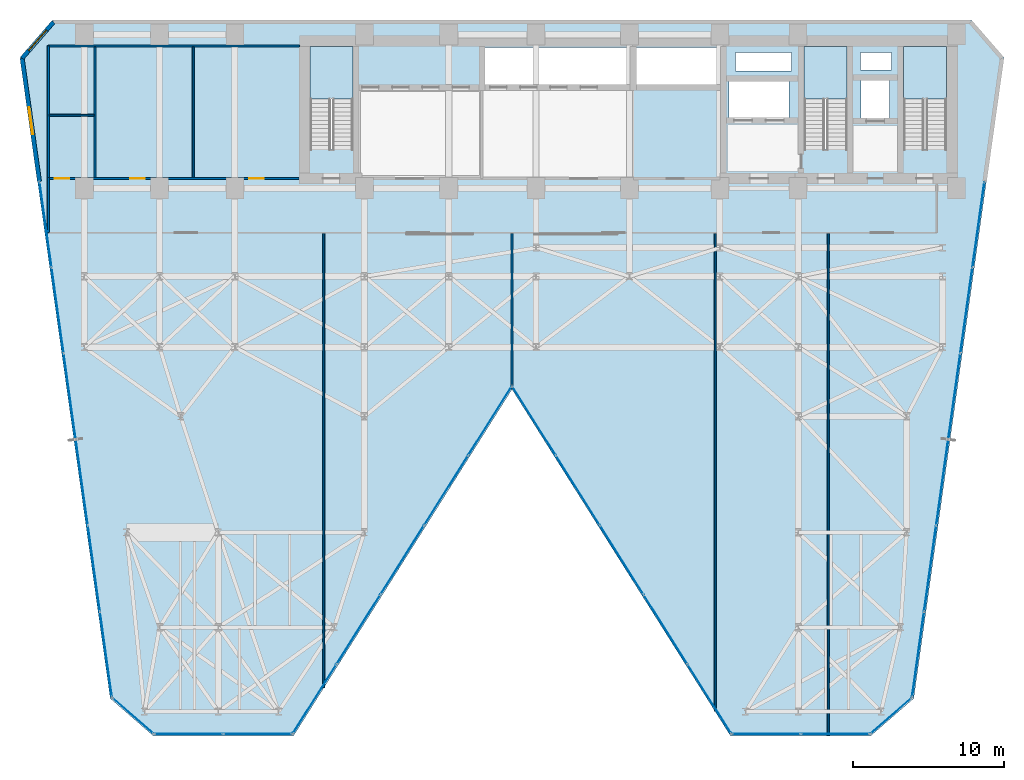
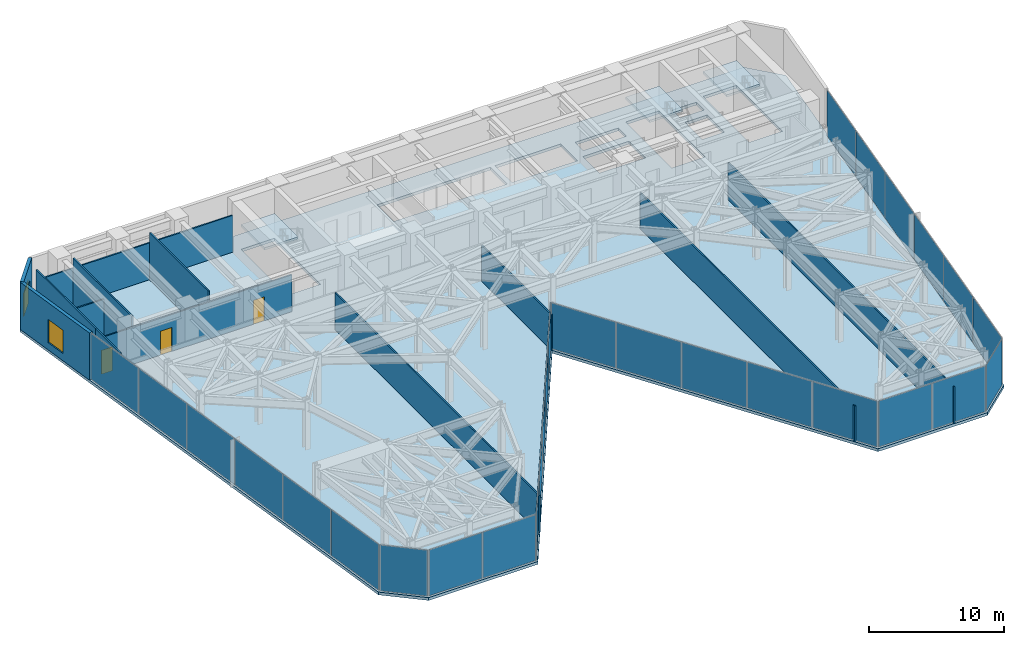
# One storey, part 23 of 28: 28 plates, 13 walls, 4 slabs, 3 doors, 2 windows, 5 openings, 11 elements without a shape of their own.
"""IFC4 building model written with IfcOpenShell, lengths in metres."""

from ifc_helpers import new_model, si_unit, direction, frame, frame_2d, origin, origin_2d, place, context, subcontext, project, spatial, polyline, rectangle, outline, extrude, material, layer, layer_set, type_object, element, fill, aggregate, save


model = new_model("IFC4")

# Units and contexts
model_context = context("Model", 3, precision=1e-05, world=origin(), true_north=direction((0.0, 1.0)))
body_context = subcontext(model_context, "Body", "Model", "MODEL_VIEW")
ifc_project = project(units=[si_unit("LENGTHUNIT", "METRE"), si_unit("AREAUNIT", "SQUARE_METRE"), si_unit("VOLUMEUNIT", "CUBIC_METRE"), si_unit("PLANEANGLEUNIT", "RADIAN"), si_unit("MASSUNIT", "GRAM", prefix="KILO")], contexts=[model_context])

# Site, building, storey
site_placement = place(None, origin())
site = spatial("IfcSite", under=ifc_project, at=site_placement, CompositionType="ELEMENT")
building_placement = place(site_placement, origin())
building = spatial("IfcBuilding", under=site, at=building_placement, Name="Kravanh Interchange Tower", CompositionType="ELEMENT")
storey_placement = place(building_placement, frame((0.0, 0.0, 91.5)))
storey = spatial("IfcBuildingStorey", under=building, at=storey_placement, Name="L21", CompositionType="ELEMENT", Elevation=91.5)

# Slab
ifc_material_1 = material(Name="Concrete C50/60", Category="concrete")
ifc_layer_1 = layer(ifc_material_1, 0.2548828125)
ifc_layer_set_1 = layer_set([ifc_layer_1], Name="Composite Floor Slab Concrete C50/60 255mm")
slab_type_1 = type_object("IfcSlabType", Name="Composite Floor Slab Concrete C50/60 255mm", PredefinedType="FLOOR", material=ifc_layer_set_1)
slab_1_placement = place(storey_placement, frame((0.0, 0.0, -0.2548828125)))
element("IfcSlab", 1, at=slab_1_placement, inside=storey, type_object=slab_type_1, Name="L21 Structural Floor Slab", PredefinedType="FLOOR", context=body_context, shape_type="SweptSolid", body=[
    extrude(outline(polyline([(10.327880859375, 3.4755859375), (13.17578125, 1.0), (22.5, 1.0), (37.0, 24.0), (51.5, 1.0), (60.82421875, 1.0), (63.672119140625, 3.4755859375), (69.652099609375, 46.0244140625), (67.5, 48.5), (6.5, 48.5), (4.347900390625, 46.0244140625), (10.327880859375, 3.4755859375)]), holes=[polyline([(65.85009765625, 39.925048828125), (65.85009765625, 46.75), (63.0, 46.75), (63.0, 39.925048828125), (65.85009765625, 39.925048828125)]), polyline([(59.25, 39.925048828125), (59.25, 46.75), (56.39990234375, 46.75), (56.39990234375, 39.925048828125), (59.25, 39.925048828125)]), polyline([(26.449951171875, 39.925048828125), (26.449951171875, 46.75), (23.60009765625, 46.75), (23.60009765625, 39.925048828125), (26.449951171875, 39.925048828125)]), polyline([(35.179931640625, 44.219970703125), (44.840087890625, 44.219970703125), (44.840087890625, 46.699951171875), (35.179931640625, 46.699951171875), (35.179931640625, 44.219970703125)]), polyline([(45.239990234375, 44.219970703125), (50.840087890625, 44.219970703125), (50.840087890625, 46.699951171875), (45.239990234375, 46.699951171875), (45.239990234375, 44.219970703125)]), polyline([(51.419921875, 42.02001953125), (55.3798828125, 42.02001953125), (55.3798828125, 44.47998046875), (51.419921875, 44.47998046875), (51.419921875, 42.02001953125)]), polyline([(60.179931640625, 41.97998046875), (62.06005859375, 41.97998046875), (62.06005859375, 44.52001953125), (60.179931640625, 44.52001953125), (60.179931640625, 41.97998046875)]), polyline([(60.14990234375, 45.199951171875), (62.199951171875, 45.199951171875), (62.199951171875, 46.35009765625), (60.14990234375, 46.35009765625), (60.14990234375, 45.199951171875)]), polyline([(51.85009765625, 45.14990234375), (55.550048828125, 45.14990234375), (55.550048828125, 46.35009765625), (51.85009765625, 46.35009765625), (51.85009765625, 45.14990234375)])]), origin(), (0.0, 0.0, 1.0), 0.2548828125),
])

# Stair, slab
ifc_material_2 = material(Name="Concrete C50/60", Category="concrete")
stair_type = type_object("IfcStairType", Name="Core Fire Exit Dogleg Stair Concrete C50/60", PredefinedType="HALF_TURN_STAIR", material=ifc_material_2)
stair_1_placement = place(storey_placement, origin())
stair_1 = element("IfcStair", 2, at=stair_1_placement, inside=storey, type_object=stair_type, Name="L21 Exit Stair ST1", PredefinedType="HALF_TURN_STAIR")
ifc_material_3 = material(Name="Concrete C50/60", Category="concrete")
ifc_layer_2 = layer(ifc_material_3, 0.199951171875)
ifc_layer_set_2 = layer_set([ifc_layer_2], Name="Concrete C50/60 Stair Half-Landing Slab 200mm")
slab_type_2 = type_object("IfcSlabType", Name="Concrete C50/60 Stair Half-Landing Slab 200mm", PredefinedType="LANDING", material=ifc_layer_set_2)
slab_2_placement = place(storey_placement, frame((0.0, 0.0, 2.050048828125)))
slab_2 = element("IfcSlab", 3, at=slab_2_placement, type_object=slab_type_2, Name="ST1 landing 1", PredefinedType="LANDING", context=body_context, shape_type="SweptSolid", body=[
    extrude(outline(polyline([(65.85009765625, 43.260009765625), (65.85009765625, 46.75), (63.0, 46.75), (63.0, 43.260009765625), (65.85009765625, 43.260009765625)])), origin(), (0.0, 0.0, 1.0), 0.199951171875),
])
aggregate(stair_1, [slab_2])

stair_2_placement = place(storey_placement, origin())
stair_2 = element("IfcStair", 4, at=stair_2_placement, inside=storey, type_object=stair_type, Name="L21 Exit Stair ST2", PredefinedType="HALF_TURN_STAIR")
slab_3_placement = place(storey_placement, frame((0.0, 0.0, 2.050048828125)))
slab_3 = element("IfcSlab", 5, at=slab_3_placement, type_object=slab_type_2, Name="ST2 landing 1", PredefinedType="LANDING", context=body_context, shape_type="SweptSolid", body=[
    extrude(outline(polyline([(59.25, 43.260009765625), (59.25, 46.75), (56.39990234375, 46.75), (56.39990234375, 43.260009765625), (59.25, 43.260009765625)])), origin(), (0.0, 0.0, 1.0), 0.199951171875),
])
aggregate(stair_2, [slab_3])

stair_3_placement = place(storey_placement, origin())
stair_3 = element("IfcStair", 6, at=stair_3_placement, inside=storey, type_object=stair_type, Name="L21 Exit Stair ST3", PredefinedType="HALF_TURN_STAIR")
slab_4_placement = place(storey_placement, frame((0.0, 0.0, 2.050048828125)))
slab_4 = element("IfcSlab", 7, at=slab_4_placement, type_object=slab_type_2, Name="ST3 landing 1", PredefinedType="LANDING", context=body_context, shape_type="SweptSolid", body=[
    extrude(outline(polyline([(26.449951171875, 43.260009765625), (26.449951171875, 46.75), (23.60009765625, 46.75), (23.60009765625, 43.260009765625), (26.449951171875, 43.260009765625)])), origin(), (0.0, 0.0, 1.0), 0.199951171875),
])
aggregate(stair_3, [slab_4])

# Curtain wall, plates
ifc_material_4 = material(Name="Anodised Bronze Aluminium", Category="aluminium")
ifc_layer_3 = layer(ifc_material_4, 0.179931640625)
ifc_layer_set_3 = layer_set([ifc_layer_3], Name="Unitised Curtain Wall System CW-SKY Sky Observatory")
curtain_wall_type = type_object("IfcCurtainWallType", Name="Unitised Curtain Wall System CW-SKY Sky Observatory", PredefinedType="NOTDEFINED", material=ifc_layer_set_3)
curtain_wall_1_placement = place(storey_placement, origin())
curtain_wall_1 = element("IfcCurtainWall", 8, at=curtain_wall_1_placement, inside=storey, type_object=curtain_wall_type, Name="L21 Unitised Curtain Wall CW-L21-01", PredefinedType="NOTDEFINED")
ifc_material_5 = material(Name="Low-E Laminated Architectural Glass", Category="glass")
ifc_layer_4 = layer(ifc_material_5, 0.035888671875)
ifc_layer_set_4 = layer_set([ifc_layer_4], Name="Extra-Clear Low-Iron Glazing 36mm")
plate_type = type_object("IfcPlateType", Name="Extra-Clear Low-Iron Glazing 36mm", PredefinedType="CURTAIN_PANEL", material=ifc_layer_set_4)
plate_1_placement = place(storey_placement, frame((10.03662109375, 6.409423828125, 0.06005859375), z_axis=(0.0, 0.0, 1.0), x_axis=(-0.139176538065, 0.990267585682, 0.0)))
plate_1 = element("IfcPlate", 9, at=plate_1_placement, type_object=plate_type, Name="CW-SKY panel 1.1", PredefinedType="CURTAIN_PANEL", context=body_context, shape_type="SweptSolid", body=[
    extrude(rectangle(XDim=5.66162109375, YDim=0.035888671875, at=origin_2d()), origin(), (0.0, 0.0, 1.0), 4.1298828125),
])
plate_2_placement = place(storey_placement, frame((9.236572265625, 12.1025390625, 0.06005859375), z_axis=(0.0, 0.0, 1.0), x_axis=(-0.139176538065, 0.990267585682, 0.0)))
plate_2 = element("IfcPlate", 10, at=plate_2_placement, type_object=plate_type, Name="CW-SKY panel 2.1", PredefinedType="CURTAIN_PANEL", context=body_context, shape_type="SweptSolid", body=[
    extrude(rectangle(XDim=5.69677734375, YDim=0.035888671875, at=origin_2d()), origin(), (0.0, 0.0, 1.0), 4.1298828125),
])
plate_3_placement = place(storey_placement, frame((8.433837890625, 17.813232421875, 0.06005859375), z_axis=(0.0, 0.0, 1.0), x_axis=(-0.139176538065, 0.990267585682, 0.0)))
plate_3 = element("IfcPlate", 11, at=plate_3_placement, type_object=plate_type, Name="CW-SKY panel 3.1", PredefinedType="CURTAIN_PANEL", context=body_context, shape_type="SweptSolid", body=[
    extrude(rectangle(XDim=5.69677734375, YDim=0.035888671875, at=origin_2d()), origin(), (0.0, 0.0, 1.0), 4.1298828125),
])
plate_4_placement = place(storey_placement, frame((7.63134765625, 23.523681640625, 0.06005859375), z_axis=(0.0, 0.0, 1.0), x_axis=(-0.139176538065, 0.990267585682, 0.0)))
plate_4 = element("IfcPlate", 12, at=plate_4_placement, type_object=plate_type, Name="CW-SKY panel 4.1", PredefinedType="CURTAIN_PANEL", context=body_context, shape_type="SweptSolid", body=[
    extrude(rectangle(XDim=5.69677734375, YDim=0.035888671875, at=origin_2d()), origin(), (0.0, 0.0, 1.0), 4.1298828125),
])
plate_5_placement = place(storey_placement, frame((6.828857421875, 29.234130859375, 0.06005859375), z_axis=(0.0, 0.0, 1.0), x_axis=(-0.139176538065, 0.990267585682, 0.0)))
plate_5 = element("IfcPlate", 13, at=plate_5_placement, type_object=plate_type, Name="CW-SKY panel 5.1", PredefinedType="CURTAIN_PANEL", context=body_context, shape_type="SweptSolid", body=[
    extrude(rectangle(XDim=5.69677734375, YDim=0.035888671875, at=origin_2d()), origin(), (0.0, 0.0, 1.0), 4.1298828125),
])
plate_6_placement = place(storey_placement, frame((6.028564453125, 34.927490234375, 0.06005859375), z_axis=(0.0, 0.0, 1.0), x_axis=(-0.139176538065, 0.990267585682, 0.0)))
plate_6 = element("IfcPlate", 14, at=plate_6_placement, type_object=plate_type, Name="CW-SKY panel 6.1", PredefinedType="CURTAIN_PANEL", context=body_context, shape_type="SweptSolid", body=[
    extrude(rectangle(XDim=5.66162109375, YDim=0.035888671875, at=origin_2d()), origin(), (0.0, 0.0, 1.0), 4.1298828125),
])
aggregate(curtain_wall_1, [plate_1, plate_2, plate_3, plate_4, plate_5, plate_6])

curtain_wall_2_placement = place(storey_placement, origin())
curtain_wall_2 = element("IfcCurtainWall", 15, at=curtain_wall_2_placement, inside=storey, type_object=curtain_wall_type, Name="L21 Unitised Curtain Wall CW-L21-02", PredefinedType="NOTDEFINED")
plate_7_placement = place(storey_placement, frame((67.971435546875, 34.927490234375, 0.06005859375), z_axis=(0.0, 0.0, 1.0), x_axis=(-0.139176538065, -0.990267585682, 0.0)))
plate_7 = element("IfcPlate", 16, at=plate_7_placement, type_object=plate_type, Name="CW-SKY panel 1.1", PredefinedType="CURTAIN_PANEL", context=body_context, shape_type="SweptSolid", body=[
    extrude(rectangle(XDim=5.66162109375, YDim=0.035888671875, at=origin_2d()), origin(), (0.0, 0.0, 1.0), 4.1298828125),
])
plate_8_placement = place(storey_placement, frame((67.171142578125, 29.234130859375, 0.06005859375), z_axis=(0.0, 0.0, 1.0), x_axis=(-0.139176538065, -0.990267585682, 0.0)))
plate_8 = element("IfcPlate", 17, at=plate_8_placement, type_object=plate_type, Name="CW-SKY panel 2.1", PredefinedType="CURTAIN_PANEL", context=body_context, shape_type="SweptSolid", body=[
    extrude(rectangle(XDim=5.69677734375, YDim=0.035888671875, at=origin_2d()), origin(), (0.0, 0.0, 1.0), 4.1298828125),
])
plate_9_placement = place(storey_placement, frame((66.36865234375, 23.523681640625, 0.06005859375), z_axis=(0.0, 0.0, 1.0), x_axis=(-0.139176538065, -0.990267585682, 0.0)))
plate_9 = element("IfcPlate", 18, at=plate_9_placement, type_object=plate_type, Name="CW-SKY panel 3.1", PredefinedType="CURTAIN_PANEL", context=body_context, shape_type="SweptSolid", body=[
    extrude(rectangle(XDim=5.69677734375, YDim=0.035888671875, at=origin_2d()), origin(), (0.0, 0.0, 1.0), 4.1298828125),
])
plate_10_placement = place(storey_placement, frame((65.566162109375, 17.813232421875, 0.06005859375), z_axis=(0.0, 0.0, 1.0), x_axis=(-0.139176538065, -0.990267585682, 0.0)))
plate_10 = element("IfcPlate", 19, at=plate_10_placement, type_object=plate_type, Name="CW-SKY panel 4.1", PredefinedType="CURTAIN_PANEL", context=body_context, shape_type="SweptSolid", body=[
    extrude(rectangle(XDim=5.69677734375, YDim=0.035888671875, at=origin_2d()), origin(), (0.0, 0.0, 1.0), 4.1298828125),
])
plate_11_placement = place(storey_placement, frame((64.763427734375, 12.1025390625, 0.06005859375), z_axis=(0.0, 0.0, 1.0), x_axis=(-0.139176538065, -0.990267585682, 0.0)))
plate_11 = element("IfcPlate", 20, at=plate_11_placement, type_object=plate_type, Name="CW-SKY panel 5.1", PredefinedType="CURTAIN_PANEL", context=body_context, shape_type="SweptSolid", body=[
    extrude(rectangle(XDim=5.69677734375, YDim=0.035888671875, at=origin_2d()), origin(), (0.0, 0.0, 1.0), 4.1298828125),
])
plate_12_placement = place(storey_placement, frame((63.96337890625, 6.409423828125, 0.06005859375), z_axis=(0.0, 0.0, 1.0), x_axis=(-0.139176538065, -0.990267585682, 0.0)))
plate_12 = element("IfcPlate", 21, at=plate_12_placement, type_object=plate_type, Name="CW-SKY panel 6.1", PredefinedType="CURTAIN_PANEL", context=body_context, shape_type="SweptSolid", body=[
    extrude(rectangle(XDim=5.66162109375, YDim=0.035888671875, at=origin_2d()), origin(), (0.0, 0.0, 1.0), 4.1298828125),
])
aggregate(curtain_wall_2, [plate_7, plate_8, plate_9, plate_10, plate_11, plate_12])

# Curtain wall, plate
curtain_wall_3_placement = place(storey_placement, origin())
curtain_wall_3 = element("IfcCurtainWall", 22, at=curtain_wall_3_placement, inside=storey, type_object=curtain_wall_type, Name="L21 Unitised Curtain Wall CW-L21-03", PredefinedType="NOTDEFINED")
plate_13_placement = place(storey_placement, frame((62.16943359375, 2.328369140625, 0.06005859375), z_axis=(0.0, 0.0, 1.0), x_axis=(-0.754708368999, -0.656060422341, 0.0)))
plate_13 = element("IfcPlate", 23, at=plate_13_placement, type_object=plate_type, Name="CW-SKY panel 1.1", PredefinedType="CURTAIN_PANEL", context=body_context, shape_type="SweptSolid", body=[
    extrude(rectangle(XDim=3.543701171875, YDim=0.035888671875, at=origin_2d()), origin(), (0.0, 0.0, 1.0), 4.1298828125),
])
aggregate(curtain_wall_3, [plate_13])

# Curtain wall, plates
curtain_wall_4_placement = place(storey_placement, origin())
curtain_wall_4 = element("IfcCurtainWall", 24, at=curtain_wall_4_placement, inside=storey, type_object=curtain_wall_type, Name="L21 Unitised Curtain Wall CW-L21-04", PredefinedType="NOTDEFINED")
plate_14_placement = place(storey_placement, frame((58.45849609375, 1.1201171875, 0.06005859375), z_axis=(0.0, 0.0, 1.0), x_axis=(-1.0, 0.0, 0.0)))
plate_14 = element("IfcPlate", 25, at=plate_14_placement, type_object=plate_type, Name="CW-SKY panel 1.1", PredefinedType="CURTAIN_PANEL", context=body_context, shape_type="SweptSolid", body=[
    extrude(rectangle(XDim=4.501708984375, YDim=0.035888671875, at=origin_2d()), origin(), (0.0, 0.0, 1.0), 4.1298828125),
])
plate_15_placement = place(storey_placement, frame((53.886962890625, 1.1201171875, 0.06005859375), z_axis=(0.0, 0.0, 1.0), x_axis=(-1.0, 0.0, 0.0)))
plate_15 = element("IfcPlate", 26, at=plate_15_placement, type_object=plate_type, Name="CW-SKY panel 2.1", PredefinedType="CURTAIN_PANEL", context=body_context, shape_type="SweptSolid", body=[
    extrude(rectangle(XDim=4.501708984375, YDim=0.035888671875, at=origin_2d()), origin(), (0.0, 0.0, 1.0), 4.1298828125),
])
aggregate(curtain_wall_4, [plate_14, plate_15])

curtain_wall_5_placement = place(storey_placement, origin())
curtain_wall_5 = element("IfcCurtainWall", 27, at=curtain_wall_5_placement, inside=storey, type_object=curtain_wall_type, Name="L21 Unitised Curtain Wall CW-L21-05", PredefinedType="NOTDEFINED")
plate_16_placement = place(storey_placement, frame((50.100341796875, 3.4453125, 0.06005859375), z_axis=(0.0, 0.0, 1.0), x_axis=(-0.53330103728, 0.845925530786, 0.0)))
plate_16 = element("IfcPlate", 28, at=plate_16_placement, type_object=plate_type, Name="CW-SKY panel 1.1", PredefinedType="CURTAIN_PANEL", context=body_context, shape_type="SweptSolid", body=[
    extrude(rectangle(XDim=5.357666015625, YDim=0.035888671875, at=origin_2d()), origin(), (0.0, 0.0, 1.0), 4.1298828125),
])
plate_17_placement = place(storey_placement, frame((47.1962890625, 8.051513671875, 0.06005859375), z_axis=(0.0, 0.0, 1.0), x_axis=(-0.53330103728, 0.845925530786, 0.0)))
plate_17 = element("IfcPlate", 29, at=plate_17_placement, type_object=plate_type, Name="CW-SKY panel 2.1", PredefinedType="CURTAIN_PANEL", context=body_context, shape_type="SweptSolid", body=[
    extrude(rectangle(XDim=5.392578125, YDim=0.035888671875, at=origin_2d()), origin(), (0.0, 0.0, 1.0), 4.1298828125),
])
plate_18_placement = place(storey_placement, frame((44.283203125, 12.672607421875, 0.06005859375), z_axis=(0.0, 0.0, 1.0), x_axis=(-0.53330103728, 0.845925530786, 0.0)))
plate_18 = element("IfcPlate", 30, at=plate_18_placement, type_object=plate_type, Name="CW-SKY panel 3.1", PredefinedType="CURTAIN_PANEL", context=body_context, shape_type="SweptSolid", body=[
    extrude(rectangle(XDim=5.392578125, YDim=0.035888671875, at=origin_2d()), origin(), (0.0, 0.0, 1.0), 4.1298828125),
])
plate_19_placement = place(storey_placement, frame((41.369873046875, 17.29345703125, 0.06005859375), z_axis=(0.0, 0.0, 1.0), x_axis=(-0.53330103728, 0.845925530786, 0.0)))
plate_19 = element("IfcPlate", 31, at=plate_19_placement, type_object=plate_type, Name="CW-SKY panel 4.1", PredefinedType="CURTAIN_PANEL", context=body_context, shape_type="SweptSolid", body=[
    extrude(rectangle(XDim=5.392578125, YDim=0.035888671875, at=origin_2d()), origin(), (0.0, 0.0, 1.0), 4.1298828125),
])
plate_20_placement = place(storey_placement, frame((38.466064453125, 21.899658203125, 0.06005859375), z_axis=(0.0, 0.0, 1.0), x_axis=(-0.53330103728, 0.845925530786, 0.0)))
plate_20 = element("IfcPlate", 32, at=plate_20_placement, type_object=plate_type, Name="CW-SKY panel 5.1", PredefinedType="CURTAIN_PANEL", context=body_context, shape_type="SweptSolid", body=[
    extrude(rectangle(XDim=5.357666015625, YDim=0.035888671875, at=origin_2d()), origin(), (0.0, 0.0, 1.0), 4.1298828125),
])
aggregate(curtain_wall_5, [plate_16, plate_17, plate_18, plate_19, plate_20])

curtain_wall_6_placement = place(storey_placement, origin())
curtain_wall_6 = element("IfcCurtainWall", 33, at=curtain_wall_6_placement, inside=storey, type_object=curtain_wall_type, Name="L21 Unitised Curtain Wall CW-L21-06", PredefinedType="NOTDEFINED")
plate_21_placement = place(storey_placement, frame((35.533935546875, 21.899658203125, 0.06005859375), z_axis=(0.0, 0.0, 1.0), x_axis=(-0.53330103728, -0.845925530786, 0.0)))
plate_21 = element("IfcPlate", 34, at=plate_21_placement, type_object=plate_type, Name="CW-SKY panel 1.1", PredefinedType="CURTAIN_PANEL", context=body_context, shape_type="SweptSolid", body=[
    extrude(rectangle(XDim=5.357666015625, YDim=0.035888671875, at=origin_2d()), origin(), (0.0, 0.0, 1.0), 4.1298828125),
])
plate_22_placement = place(storey_placement, frame((32.630126953125, 17.29345703125, 0.06005859375), z_axis=(0.0, 0.0, 1.0), x_axis=(-0.53330103728, -0.845925530786, 0.0)))
plate_22 = element("IfcPlate", 35, at=plate_22_placement, type_object=plate_type, Name="CW-SKY panel 2.1", PredefinedType="CURTAIN_PANEL", context=body_context, shape_type="SweptSolid", body=[
    extrude(rectangle(XDim=5.392578125, YDim=0.035888671875, at=origin_2d()), origin(), (0.0, 0.0, 1.0), 4.1298828125),
])
plate_23_placement = place(storey_placement, frame((29.716796875, 12.672607421875, 0.06005859375), z_axis=(0.0, 0.0, 1.0), x_axis=(-0.53330103728, -0.845925530786, 0.0)))
plate_23 = element("IfcPlate", 36, at=plate_23_placement, type_object=plate_type, Name="CW-SKY panel 3.1", PredefinedType="CURTAIN_PANEL", context=body_context, shape_type="SweptSolid", body=[
    extrude(rectangle(XDim=5.392578125, YDim=0.035888671875, at=origin_2d()), origin(), (0.0, 0.0, 1.0), 4.1298828125),
])
plate_24_placement = place(storey_placement, frame((26.8037109375, 8.051513671875, 0.06005859375), z_axis=(0.0, 0.0, 1.0), x_axis=(-0.53330103728, -0.845925530786, 0.0)))
plate_24 = element("IfcPlate", 37, at=plate_24_placement, type_object=plate_type, Name="CW-SKY panel 4.1", PredefinedType="CURTAIN_PANEL", context=body_context, shape_type="SweptSolid", body=[
    extrude(rectangle(XDim=5.392578125, YDim=0.035888671875, at=origin_2d()), origin(), (0.0, 0.0, 1.0), 4.1298828125),
])
plate_25_placement = place(storey_placement, frame((23.899658203125, 3.4453125, 0.06005859375), z_axis=(0.0, 0.0, 1.0), x_axis=(-0.53330103728, -0.845925530786, 0.0)))
plate_25 = element("IfcPlate", 38, at=plate_25_placement, type_object=plate_type, Name="CW-SKY panel 5.1", PredefinedType="CURTAIN_PANEL", context=body_context, shape_type="SweptSolid", body=[
    extrude(rectangle(XDim=5.357666015625, YDim=0.035888671875, at=origin_2d()), origin(), (0.0, 0.0, 1.0), 4.1298828125),
])
aggregate(curtain_wall_6, [plate_21, plate_22, plate_23, plate_24, plate_25])

curtain_wall_7_placement = place(storey_placement, origin())
curtain_wall_7 = element("IfcCurtainWall", 39, at=curtain_wall_7_placement, inside=storey, type_object=curtain_wall_type, Name="L21 Unitised Curtain Wall CW-L21-07", PredefinedType="NOTDEFINED")
plate_26_placement = place(storey_placement, frame((20.113037109375, 1.1201171875, 0.06005859375), z_axis=(0.0, 0.0, 1.0), x_axis=(-1.0, 0.0, 0.0)))
plate_26 = element("IfcPlate", 40, at=plate_26_placement, type_object=plate_type, Name="CW-SKY panel 1.1", PredefinedType="CURTAIN_PANEL", context=body_context, shape_type="SweptSolid", body=[
    extrude(rectangle(XDim=4.501708984375, YDim=0.035888671875, at=origin_2d()), origin(), (0.0, 0.0, 1.0), 4.1298828125),
])
plate_27_placement = place(storey_placement, frame((15.54150390625, 1.1201171875, 0.06005859375), z_axis=(0.0, 0.0, 1.0), x_axis=(-1.0, 0.0, 0.0)))
plate_27 = element("IfcPlate", 41, at=plate_27_placement, type_object=plate_type, Name="CW-SKY panel 2.1", PredefinedType="CURTAIN_PANEL", context=body_context, shape_type="SweptSolid", body=[
    extrude(rectangle(XDim=4.501708984375, YDim=0.035888671875, at=origin_2d()), origin(), (0.0, 0.0, 1.0), 4.1298828125),
])
aggregate(curtain_wall_7, [plate_26, plate_27])

# Curtain wall, plate
curtain_wall_8_placement = place(storey_placement, origin())
curtain_wall_8 = element("IfcCurtainWall", 42, at=curtain_wall_8_placement, inside=storey, type_object=curtain_wall_type, Name="L21 Unitised Curtain Wall CW-L21-08", PredefinedType="NOTDEFINED")
plate_28_placement = place(storey_placement, frame((11.83056640625, 2.328369140625, 0.06005859375), z_axis=(0.0, 0.0, 1.0), x_axis=(-0.754708368999, 0.656060422341, 0.0)))
plate_28 = element("IfcPlate", 43, at=plate_28_placement, type_object=plate_type, Name="CW-SKY panel 1.1", PredefinedType="CURTAIN_PANEL", context=body_context, shape_type="SweptSolid", body=[
    extrude(rectangle(XDim=3.543701171875, YDim=0.035888671875, at=origin_2d()), origin(), (0.0, 0.0, 1.0), 4.1298828125),
])
aggregate(curtain_wall_8, [plate_28])

# Wall, openings, doors
ifc_material_6 = material(Name="Double Acoustic Gypsum Board and Mineral Wool")
ifc_layer_5 = layer(ifc_material_6, 0.1201171875)
ifc_layer_set_5 = layer_set([ifc_layer_5], Name="Acoustic Office Drywall Partition 120mm")
wall_type_1 = type_object("IfcWallType", Name="Acoustic Office Drywall Partition 120mm", PredefinedType="PARTITIONING", material=ifc_layer_set_5)
wall_1_placement = place(storey_placement, frame((6.219970703125, 38.0, 0.0), z_axis=(0.0, 0.0, 1.0), x_axis=(1.0, 0.0, 0.0)))
wall_1 = element("IfcWall", 44, at=wall_1_placement, inside=storey, type_object=wall_type_1, Name="L21 Restroom Corridor Wall 5", PredefinedType="PARTITIONING", context=body_context, shape_type="SweptSolid", body=[
    extrude(rectangle(XDim=16.630126953125, YDim=0.1201171875, at=frame_2d((8.31494140625, 0.0))), origin(), (0.0, 0.0, 1.0), 3.322998046875),
])
opening_1_placement = place(wall_1_placement, frame((0.424072265625, 0.0, 0.0)))
opening_1 = element("IfcOpeningElement", 45, at=opening_1_placement, cuts=wall_1, Name="Opening D-95", PredefinedType="OPENING", context=body_context, shape_type="SweptSolid", body=[
    extrude(rectangle(XDim=0.949951171875, YDim=2.14990234375, at=frame_2d((0.47509765625, 1.074951171875))), frame((0.0, 0.070068359375, 0.0), z_axis=(0.0, -1.0, 0.0), x_axis=(1.0, 0.0, 0.0)), (0.0, 0.0, 1.0), 0.14013671875),
])
opening_2_placement = place(wall_1_placement, frame((5.444091796875, 0.0, 0.0)))
opening_2 = element("IfcOpeningElement", 46, at=opening_2_placement, cuts=wall_1, Name="Opening D-95", PredefinedType="OPENING", context=body_context, shape_type="SweptSolid", body=[
    extrude(rectangle(XDim=0.949951171875, YDim=2.14990234375, at=frame_2d((0.47509765625, 1.074951171875))), frame((0.0, 0.070068359375, 0.0), z_axis=(0.0, -1.0, 0.0), x_axis=(1.0, 0.0, 0.0)), (0.0, 0.0, 1.0), 0.14013671875),
])
opening_3_placement = place(wall_1_placement, frame((13.343994140625, 0.0, 0.0)))
opening_3 = element("IfcOpeningElement", 47, at=opening_3_placement, cuts=wall_1, Name="Opening D-95", PredefinedType="OPENING", context=body_context, shape_type="SweptSolid", body=[
    extrude(rectangle(XDim=0.949951171875, YDim=2.14990234375, at=frame_2d((0.47509765625, 1.074951171875))), frame((0.0, 0.070068359375, 0.0), z_axis=(0.0, -1.0, 0.0), x_axis=(1.0, 0.0, 0.0)), (0.0, 0.0, 1.0), 0.14013671875),
])
ifc_material_7 = material(Name="Laminate Solid-Core Timber", Category="wood")
door_type = type_object("IfcDoorType", Name="Accessible Restroom Door 950x2150", OperationType="NOTDEFINED", PredefinedType="DOOR", material=ifc_material_7)
door_1_placement = place(opening_1_placement, origin())
door_1 = element("IfcDoor", 48, at=door_1_placement, inside=storey, type_object=door_type, Name="L21 Accessible WC Door", OperationType="SINGLE_SWING_RIGHT", OverallHeight=2.14990234375, OverallWidth=0.949951171875, PredefinedType="DOOR", context=body_context, shape_type="SweptSolid", body=[
    extrude(rectangle(XDim=0.949951171875, YDim=2.14990234375, at=frame_2d((0.47509765625, 1.074951171875))), frame((0.0, 0.02490234375, 0.0), z_axis=(0.0, -1.0, 0.0), x_axis=(1.0, 0.0, 0.0)), (0.0, 0.0, 1.0), 0.050048828125),
])
fill(opening_1, door_1)
door_2_placement = place(opening_2_placement, origin())
door_2 = element("IfcDoor", 49, at=door_2_placement, inside=storey, type_object=door_type, Name="L21 Female WC Door", OperationType="SINGLE_SWING_LEFT", OverallHeight=2.14990234375, OverallWidth=0.949951171875, PredefinedType="DOOR", context=body_context, shape_type="SweptSolid", body=[
    extrude(rectangle(XDim=0.949951171875, YDim=2.14990234375, at=frame_2d((0.47509765625, 1.074951171875))), frame((0.0, 0.02490234375, 0.0), z_axis=(0.0, -1.0, 0.0), x_axis=(1.0, 0.0, 0.0)), (0.0, 0.0, 1.0), 0.050048828125),
])
fill(opening_2, door_2)
door_3_placement = place(opening_3_placement, origin())
door_3 = element("IfcDoor", 50, at=door_3_placement, inside=storey, type_object=door_type, Name="L21 Male WC Door", OperationType="SINGLE_SWING_RIGHT", OverallHeight=2.14990234375, OverallWidth=0.949951171875, PredefinedType="DOOR", context=body_context, shape_type="SweptSolid", body=[
    extrude(rectangle(XDim=0.949951171875, YDim=2.14990234375, at=frame_2d((0.47509765625, 1.074951171875))), frame((0.0, 0.02490234375, 0.0), z_axis=(0.0, -1.0, 0.0), x_axis=(1.0, 0.0, 0.0)), (0.0, 0.0, 1.0), 0.050048828125),
])
fill(opening_3, door_3)

# Walls
wall_2_placement = place(storey_placement, frame((6.219970703125, 38.0, 0.0), z_axis=(0.0, 0.0, 1.0), x_axis=(0.0, 1.0, 0.0)))
element("IfcWall", 51, at=wall_2_placement, inside=storey, type_object=wall_type_1, Name="L21 Restroom West Enclosure 6", PredefinedType="PARTITIONING", context=body_context, shape_type="SweptSolid", body=[
    extrude(rectangle(XDim=8.800048828125, YDim=0.1201171875, at=frame_2d((4.39990234375, 0.0))), origin(), (0.0, 0.0, 1.0), 4.25),
])
wall_3_placement = place(storey_placement, frame((6.219970703125, 46.800048828125, 0.0), z_axis=(0.0, 0.0, 1.0), x_axis=(1.0, 0.0, 0.0)))
element("IfcWall", 52, at=wall_3_placement, inside=storey, type_object=wall_type_1, Name="L21 Restroom North Enclosure 7", PredefinedType="PARTITIONING", context=body_context, shape_type="SweptSolid", body=[
    extrude(rectangle(XDim=16.679931640625, YDim=0.1201171875, at=frame_2d((8.33984375, 0.0))), origin(), (0.0, 0.0, 1.0), 3.322998046875),
])
for number, where, z_axis, x_axis, name in (
    (53, (9.320068359375, 38.068115234375, 0.0), (0.0, 0.0, 1.0), (0.0, 1.0, 0.0), "L21 Interior Partition 8"),
    (54, (15.840087890625, 38.068115234375, 0.0), (0.0, 0.0, 1.0), (0.0, 1.0, 0.0), "L21 Interior Partition 9"),
):
    element("IfcWall", number, at=place(storey_placement, frame(where, z_axis=z_axis, x_axis=x_axis)), inside=storey, type_object=wall_type_1, Name=name, PredefinedType="PARTITIONING", context=body_context, shape_type="SweptSolid", body=[
        extrude(rectangle(XDim=8.663818359375, YDim=0.1201171875, at=frame_2d((4.33203125, 0.0))), origin(), (0.0, 0.0, 1.0), 4.25),
    ])
wall_4_placement = place(storey_placement, frame((6.2880859375, 42.199951171875, 0.0), z_axis=(0.0, 0.0, 1.0), x_axis=(1.0, 0.0, 0.0)))
element("IfcWall", 55, at=wall_4_placement, inside=storey, type_object=wall_type_1, Name="L21 Interior Partition 10", PredefinedType="PARTITIONING", context=body_context, shape_type="SweptSolid", body=[
    extrude(rectangle(XDim=2.9638671875, YDim=0.1201171875, at=frame_2d((1.48193359375, 0.0))), origin(), (0.0, 0.0, 1.0), 3.322998046875),
])
wall_5_placement = place(storey_placement, frame((6.219970703125, 34.39990234375, 0.0), z_axis=(0.0, 0.0, 1.0), x_axis=(0.0, 1.0, 0.0)))
element("IfcWall", 56, at=wall_5_placement, inside=storey, type_object=wall_type_1, Name="L21 Interior Partition 12", PredefinedType="PARTITIONING", context=body_context, shape_type="SweptSolid", body=[
    extrude(rectangle(XDim=3.650146484375, YDim=0.1201171875, at=frame_2d((1.8251953125, 0.0))), origin(), (0.0, 0.0, 1.0), 4.25),
])
wall_6_placement = place(storey_placement, frame((24.5, 4.200439453125, 0.0), z_axis=(0.0, 0.0, 1.0), x_axis=(0.0, 1.0, 0.0)))
element("IfcWall", 57, at=wall_6_placement, inside=storey, type_object=wall_type_1, Name="L21 Interior Partition 14", PredefinedType="PARTITIONING", context=body_context, shape_type="SweptSolid", body=[
    extrude(rectangle(XDim=30.131591796875, YDim=0.1201171875, at=frame_2d((15.06591796875, 0.0))), origin(), (0.0, 0.0, 1.0), 3.322998046875),
])
wall_7_placement = place(storey_placement, frame((37.0, 24.028076171875, 0.0), z_axis=(0.0, 0.0, 1.0), x_axis=(0.0, 1.0, 0.0)))
element("IfcWall", 58, at=wall_7_placement, inside=storey, type_object=wall_type_1, Name="L21 Interior Partition 15", PredefinedType="PARTITIONING", context=body_context, shape_type="SweptSolid", body=[
    extrude(rectangle(XDim=10.303955078125, YDim=0.1201171875, at=frame_2d((5.15185546875, 0.0))), origin(), (0.0, 0.0, 1.0), 3.208984375),
])
wall_8_placement = place(storey_placement, frame((50.5, 2.6142578125, 0.0), z_axis=(0.0, 0.0, 1.0), x_axis=(0.0, 1.0, 0.0)))
element("IfcWall", 59, at=wall_8_placement, inside=storey, type_object=wall_type_1, Name="L21 Interior Partition 16", PredefinedType="PARTITIONING", context=body_context, shape_type="SweptSolid", body=[
    extrude(rectangle(XDim=31.7177734375, YDim=0.1201171875, at=frame_2d((15.85888671875, 0.0))), origin(), (0.0, 0.0, 1.0), 3.239013671875),
])
wall_9_placement = place(storey_placement, frame((58.0, 1.014892578125, 0.0), z_axis=(0.0, 0.0, 1.0), x_axis=(0.0, 1.0, 0.0)))
element("IfcWall", 60, at=wall_9_placement, inside=storey, type_object=wall_type_1, Name="L21 Interior Partition 17", PredefinedType="PARTITIONING", context=body_context, shape_type="SweptSolid", body=[
    extrude(rectangle(XDim=33.317138671875, YDim=0.1201171875, at=frame_2d((16.65869140625, 0.0))), origin(), (0.0, 0.0, 1.0), 3.322998046875),
])

# Wall, opening, window
ifc_material_8 = material(Name="Insulated Precast Concrete C40/50 with Bronze Cladding", Category="concrete")
ifc_layer_6 = layer(ifc_material_8, 0.280029296875)
ifc_layer_set_6 = layer_set([ifc_layer_6], Name="Exterior Insulated Concrete C40/50 Bronze Spandrel Wall 280mm")
wall_type_2 = type_object("IfcWallType", Name="Exterior Insulated Concrete C40/50 Bronze Spandrel Wall 280mm", PredefinedType="STANDARD", material=ifc_layer_set_6)
wall_10_placement = place(storey_placement, frame((5.625, 37.800048828125, 0.0), z_axis=(0.0, 0.0, 1.0), x_axis=(-0.139180172484, 0.990267074878, 0.0)))
wall_10 = element("IfcWall", 61, at=wall_10_placement, inside=storey, type_object=wall_type_2, Name="L21 Exterior Wall 1", PredefinedType="STANDARD", context=body_context, shape_type="SweptSolid", body=[
    extrude(rectangle(XDim=8.267333984375, YDim=0.280029296875, at=frame_2d((4.1337890625, 0.0))), origin(), (0.0, 0.0, 1.0), 4.25),
])
opening_4_placement = place(wall_10_placement, frame((3.1728515625, 0.0, 0.64990234375)))
opening_4 = element("IfcOpeningElement", 62, at=opening_4_placement, cuts=wall_10, Name="Opening WN-180X210", PredefinedType="OPENING", context=body_context, shape_type="SweptSolid", body=[
    extrude(rectangle(XDim=1.800048828125, YDim=2.10009765625, at=frame_2d((0.89990234375, 1.050048828125))), frame((0.0, 0.14990234375, 0.0), z_axis=(0.0, -1.0, 0.0), x_axis=(1.0, 0.0, 0.0)), (0.0, 0.0, 1.0), 0.300048828125),
])
ifc_material_9 = material(Name="Thermally Broken Bronze Aluminium and Low-E Glass", Category="aluminium")
window_type = type_object("IfcWindowType", Name="Tower Pier Window 1800x2100", PartitioningType="SINGLE_PANEL", PredefinedType="WINDOW", material=ifc_material_9)
window_1_placement = place(opening_4_placement, origin())
window_1 = element("IfcWindow", 63, at=window_1_placement, inside=storey, type_object=window_type, Name="L21 Corner Window 1", OverallHeight=2.10009765625, OverallWidth=1.800048828125, PartitioningType="SINGLE_PANEL", PredefinedType="WINDOW", context=body_context, shape_type="SweptSolid", body=[
    extrude(rectangle(XDim=1.800048828125, YDim=2.10009765625, at=frame_2d((0.89990234375, 1.050048828125))), frame((0.0, 0.030029296875, 0.0), z_axis=(0.0, -1.0, 0.0), x_axis=(1.0, 0.0, 0.0)), (0.0, 0.0, 1.0), 0.06005859375),
])
fill(opening_4, window_1)

wall_11_placement = place(storey_placement, frame((4.474365234375, 45.98681640625, 0.0), z_axis=(0.0, 0.0, 1.0), x_axis=(0.656070053895, 0.754699996278, 0.0)))
wall_11 = element("IfcWall", 64, at=wall_11_placement, inside=storey, type_object=wall_type_2, Name="L21 Exterior Wall 2", PredefinedType="STANDARD", context=body_context, shape_type="SweptSolid", body=[
    extrude(rectangle(XDim=3.1708984375, YDim=0.280029296875, at=frame_2d((1.58544921875, 0.0))), origin(), (0.0, 0.0, 1.0), 4.25),
])
opening_5_placement = place(wall_11_placement, frame((0.66650390625, 0.0, 0.64990234375)))
opening_5 = element("IfcOpeningElement", 65, at=opening_5_placement, cuts=wall_11, Name="Opening WN-180X210", PredefinedType="OPENING", context=body_context, shape_type="SweptSolid", body=[
    extrude(rectangle(XDim=1.800048828125, YDim=2.10009765625, at=frame_2d((0.89990234375, 1.050048828125))), frame((0.0, 0.14990234375, 0.0), z_axis=(0.0, -1.0, 0.0), x_axis=(1.0, 0.0, 0.0)), (0.0, 0.0, 1.0), 0.300048828125),
])
window_2_placement = place(opening_5_placement, origin())
window_2 = element("IfcWindow", 66, at=window_2_placement, inside=storey, type_object=window_type, Name="L21 Corner Window 2", OverallHeight=2.10009765625, OverallWidth=1.800048828125, PartitioningType="SINGLE_PANEL", PredefinedType="WINDOW", context=body_context, shape_type="SweptSolid", body=[
    extrude(rectangle(XDim=1.800048828125, YDim=2.10009765625, at=frame_2d((0.89990234375, 1.050048828125))), frame((0.0, 0.030029296875, 0.0), z_axis=(0.0, -1.0, 0.0), x_axis=(1.0, 0.0, 0.0)), (0.0, 0.0, 1.0), 0.06005859375),
])
fill(opening_5, window_2)

save(model, "model.ifc")
